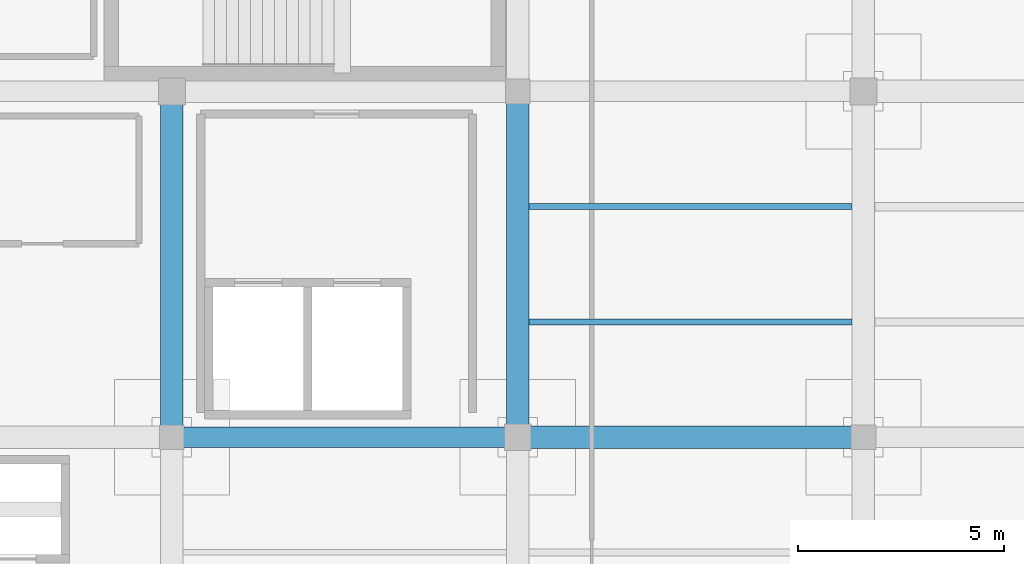
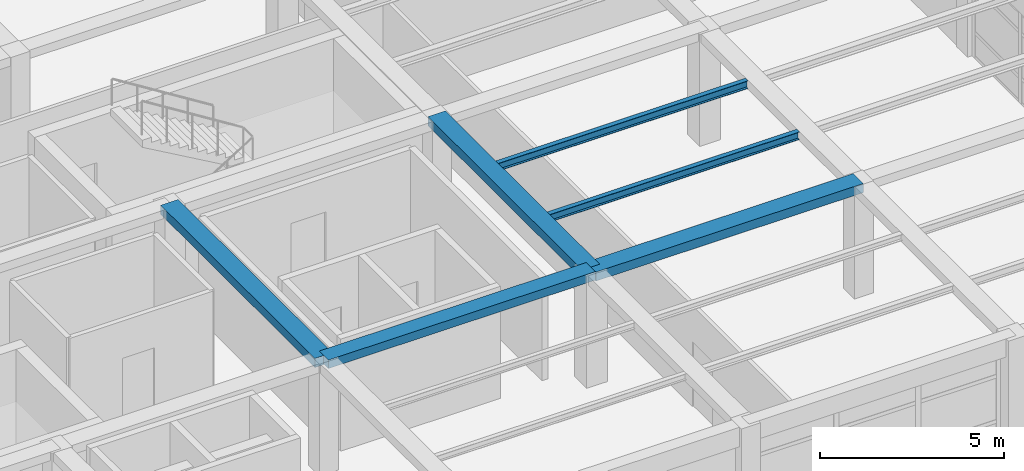
# One storey, part 8 of 26: 6 beams.
"""IFC4 building model written with IfcOpenShell, lengths in metres."""

from ifc_helpers import new_model, si_unit, direction, frame, origin, origin_2d, place, context, subcontext, project, spatial, rectangle, i_section, extrude, material, material_profile, profile_set, type_object, element, save


model = new_model("IFC4")

# Units and contexts
model_context = context("Model", 3, precision=1e-05, world=origin(), true_north=direction((0.0, 1.0)))
body_context = subcontext(model_context, "Body", "Model", "MODEL_VIEW")
ifc_project = project(units=[si_unit("LENGTHUNIT", "METRE"), si_unit("AREAUNIT", "SQUARE_METRE"), si_unit("VOLUMEUNIT", "CUBIC_METRE"), si_unit("PLANEANGLEUNIT", "RADIAN"), si_unit("MASSUNIT", "GRAM", prefix="KILO")], contexts=[model_context])

# Site, building, storey
site_placement = place(None, origin())
site = spatial("IfcSite", under=ifc_project, at=site_placement, CompositionType="ELEMENT")
building_placement = place(site_placement, origin())
building = spatial("IfcBuilding", under=site, at=building_placement, Name="Almacenes y Pasaje Nevantli", CompositionType="ELEMENT")
storey_placement = place(building_placement, frame((0.0, 0.0, 46.699951171875)))
storey = spatial("IfcBuildingStorey", under=building, at=storey_placement, Name="L11", CompositionType="ELEMENT", Elevation=46.699951171875)

# Beams
ifc_material_1 = material(Name="Concrete C35/45", Category="concrete")
ifc_material_profile_1 = material_profile(ifc_material_1, rectangle(XDim=0.5, YDim=0.280029296875, at=origin_2d()), Name="RC-BM-500x280")
ifc_profile_set_1 = profile_set([ifc_material_profile_1], Name="Concrete C35/45")
beam_type_1 = type_object("IfcBeamType", Name="BM-RC-500x280", PredefinedType="BEAM", material=ifc_profile_set_1)
beam_placement = place(storey_placement, frame((134.39990234375, 75.60009765625, 3.580078125), z_axis=(1.0, 0.0, 0.0), x_axis=(0.0, 1.0, 0.0)))
element("IfcBeam", 1, at=beam_placement, inside=storey, type_object=beam_type_1, Name="L11 East-West Reinforced Concrete Beam #3851", PredefinedType="BEAM", context=body_context, shape_type="SweptSolid", body=[
    extrude(rectangle(XDim=0.5, YDim=0.280029296875, at=origin_2d()), origin(), (0.0, 0.0, 1.0), 8.400146484375),
])
ifc_material_2 = material(Name="Concrete C35/45", Category="concrete")
ifc_material_profile_2 = material_profile(ifc_material_2, rectangle(XDim=0.550048828125, YDim=0.300048828125, at=origin_2d()), Name="RC-BM-550x300")
ifc_profile_set_2 = profile_set([ifc_material_profile_2], Name="Concrete C35/45")
beam_type_2 = type_object("IfcBeamType", Name="BM-RC-550x300", PredefinedType="BEAM", material=ifc_profile_set_2)
for number, where, z_axis, x_axis, name in (
    (2, (142.800048828125, 75.60009765625, 3.570068359375), (1.0, 0.0, 0.0), (0.0, 1.0, 0.0), "L11 East-West Reinforced Concrete Beam #3852"),
    (3, (134.39990234375, 75.60009765625, 3.570068359375), (0.0, 1.0, 0.0), (-1.0, 0.0, 0.0), "L11 North-South Reinforced Concrete Beam #3877"),
    (4, (142.800048828125, 75.60009765625, 3.570068359375), (0.0, 1.0, 0.0), (-1.0, 0.0, 0.0), "L11 North-South Reinforced Concrete Beam #3880"),
):
    element("IfcBeam", number, at=place(storey_placement, frame(where, z_axis=z_axis, x_axis=x_axis)), inside=storey, type_object=beam_type_2, Name=name, PredefinedType="BEAM", context=body_context, shape_type="SweptSolid", body=[
        extrude(rectangle(XDim=0.550048828125, YDim=0.300048828125, at=origin_2d()), origin(), (0.0, 0.0, 1.0), 8.39990234375),
    ])
ifc_material_3 = material(Name="Steel ASTM A992", Category="steel")
ifc_material_profile_3 = material_profile(ifc_material_3, i_section(OverallWidth=0.14697265625, OverallDepth=0.257080078125, WebThickness=0.006591796875, FlangeThickness=0.01123046875, at=origin_2d()), Name="IR 254x38.7")
ifc_profile_set_3 = profile_set([ifc_material_profile_3], Name="Steel ASTM A992")
beam_type_3 = type_object("IfcBeamType", Name="BM-STL-IR-254x38p7", PredefinedType="JOIST", material=ifc_profile_set_3)
for number, where, z_axis, x_axis, name in (
    (5, (143.074951171875, 78.39990234375, 3.58349609375), (1.0, 0.0, 0.0), (0.0, 1.0, 0.0), "L11 Secondary Steel Floor Joist #1527"),
    (6, (143.074951171875, 81.199951171875, 3.58349609375), (1.0, 0.0, 0.0), (0.0, 1.0, 0.0), "L11 Secondary Steel Floor Joist #1528"),
):
    element("IfcBeam", number, at=place(storey_placement, frame(where, z_axis=z_axis, x_axis=x_axis)), inside=storey, type_object=beam_type_3, Name=name, PredefinedType="JOIST", context=body_context, shape_type="SweptSolid", body=[
        extrude(i_section(OverallWidth=0.14697265625, OverallDepth=0.257080078125, WebThickness=0.006591796875, FlangeThickness=0.01123046875, at=origin_2d()), origin(), (0.0, 0.0, 1.0), 7.85009765625),
    ])

save(model, "model.ifc")
